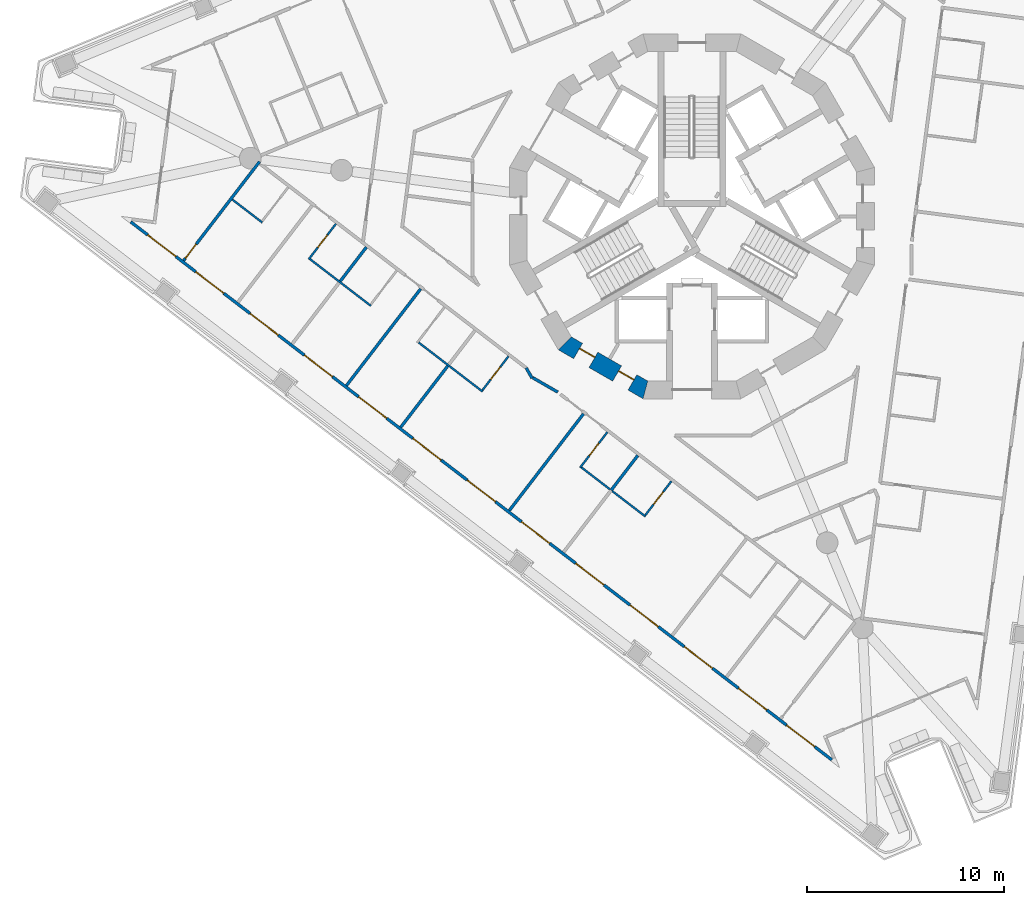
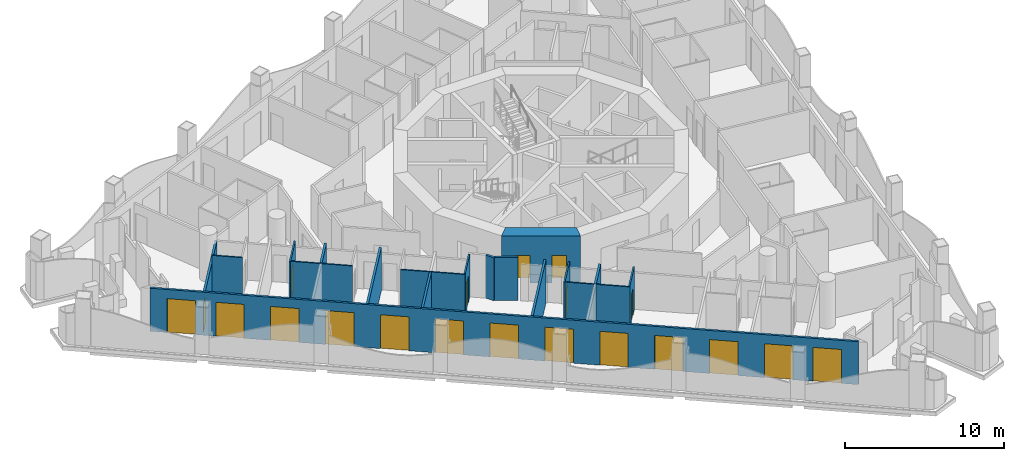
# One storey, part 2 of 17: 20 doors, 19 walls, 20 openings.
"""IFC4 building model written with IfcOpenShell, lengths in metres."""

import ifcopenshell
import ifcopenshell.guid

model = None  # the IFC model being written
_history = None  # IfcOwnerHistory: only IFC2X3 demands one
_inside = {}  # id of a spatial element -> (the spatial element, [elements in it])
_under = {}  # id of a project, library or spatial element -> (it, [spatial elements below it])
_declared = {}  # id of a project -> (the project, [libraries it declares])
_typed = {}  # id of a type object -> (the type object, [elements of that type])
_made_of = {}  # id of a material, layer set ... -> (it, [elements and type objects made of it])


def new_model(schema):
    """Start an empty IFC model of exactly this schema.

    Asked for "IFC4X3", IfcOpenShell would pick the latest addendum, in which some entities
    have other attributes; the version numbers below select the first issue.
    IFC2X3 requires an IfcOwnerHistory on every rooted entity: one is made here for all.
    """
    global model, _history
    if schema == "IFC4X3":
        model = ifcopenshell.file(schema_version=(4, 3, 0, 0))
    else:
        model = ifcopenshell.file(schema=schema)
    _inside.clear()
    _under.clear()
    _declared.clear()
    _typed.clear()
    _made_of.clear()
    _history = None
    if model.schema == "IFC2X3":
        org = make("IfcOrganization", Name="unknown")
        user = make(
            "IfcPersonAndOrganization",
            ThePerson=make("IfcPerson", FamilyName="unknown"),
            TheOrganization=org,
        )
        app = make(
            "IfcApplication",
            ApplicationDeveloper=org,
            Version="unknown",
            ApplicationFullName="unknown",
            ApplicationIdentifier="unknown",
        )
        _history = make(
            "IfcOwnerHistory",
            OwningUser=user,
            OwningApplication=app,
            ChangeAction="ADDED",
            CreationDate=0,
        )
    return model


def make(cls, **values):
    """One entity of the class cls with the attributes given. An attribute that is None is left unset."""
    return model.create_entity(
        cls, **{name: value for name, value in values.items() if value is not None}
    )


def rooted(cls, **values):
    """An entity with a GlobalId (a new one), such as an element, a storey or a relation."""
    return make(cls, GlobalId=ifcopenshell.guid.new(), OwnerHistory=_history, **values)


def si_unit(unit_type, name, prefix=None):
    """IfcSIUnit, for example si_unit("LENGTHUNIT", "METRE", prefix="MILLI")."""
    return make("IfcSIUnit", UnitType=unit_type, Prefix=prefix, Name=name)


def assignment(units):
    """IfcUnitAssignment: the units of a project."""
    return None if units is None else make("IfcUnitAssignment", Units=units)


def point(xyz):
    """IfcCartesianPoint."""
    return None if xyz is None else make("IfcCartesianPoint", Coordinates=xyz)


def direction(xyz):
    """IfcDirection."""
    return None if xyz is None else make("IfcDirection", DirectionRatios=xyz)


def frame(location, z_axis=None, x_axis=None):
    """IfcAxis2Placement3D, a coordinate frame: its origin and axes. An axis left out is left unset."""
    return make(
        "IfcAxis2Placement3D",
        Location=point(location),
        Axis=direction(z_axis),
        RefDirection=direction(x_axis),
    )


def frame_2d(location, x_axis=None):
    """IfcAxis2Placement2D, a coordinate frame in the plane: its origin and x axis."""
    return make(
        "IfcAxis2Placement2D", Location=point(location), RefDirection=direction(x_axis)
    )


def origin():
    """The frame at (0, 0, 0) with its axes left unset."""
    return frame((0.0, 0.0, 0.0))


def place(relative_to, where):
    """IfcLocalPlacement: puts the frame where relative to a parent placement (None: the world)."""
    return make(
        "IfcLocalPlacement", PlacementRelTo=relative_to, RelativePlacement=where
    )


def context(
    kind, dimensions, precision=None, world=None, true_north=None, identifier=None
):
    """IfcGeometricRepresentationContext, for example the 3D "Model" context."""
    return make(
        "IfcGeometricRepresentationContext",
        ContextIdentifier=identifier,
        ContextType=kind,
        CoordinateSpaceDimension=dimensions,
        Precision=precision,
        WorldCoordinateSystem=world,
        TrueNorth=true_north,
    )


def subcontext(parent, identifier, kind, view, scale=None):
    """IfcGeometricRepresentationSubContext, for example "Body" below "Model"."""
    return make(
        "IfcGeometricRepresentationSubContext",
        ContextIdentifier=identifier,
        ContextType=kind,
        ParentContext=parent,
        TargetScale=scale,
        TargetView=view,
    )


def project(units=None, contexts=None):
    """IfcProject with its units and contexts."""
    return rooted(
        "IfcProject",
        Name="project",
        RepresentationContexts=contexts,
        UnitsInContext=assignment(units),
    )


def spatial(cls, under=None, at=None, **own):
    """A site, building, storey or space (cls), placed at a placement, below another one or the project."""
    s = rooted(cls, ObjectPlacement=at, **own)
    if under is not None:
        _under.setdefault(under.id(), (under, []))[1].append(s)
    return s


def polyline(points):
    """IfcPolyline through the points."""
    return make("IfcPolyline", Points=[point(p) for p in points])


def profile(cls, at=None, kind="AREA", **sizes):
    """A parametric profile (cls). Its sizes go by their IFC names, for example OverallWidth=200.0."""
    return make(cls, ProfileType=kind, Position=at, **sizes)


def rectangle(**sizes):
    """IfcRectangleProfileDef."""
    return profile("IfcRectangleProfileDef", **sizes)


def outline(outer, holes=None, kind="AREA"):
    """IfcArbitraryClosedProfileDef: a profile drawn as a closed curve; with holes, ...WithVoids."""
    if holes is None:
        return make("IfcArbitraryClosedProfileDef", ProfileType=kind, OuterCurve=outer)
    return make(
        "IfcArbitraryProfileDefWithVoids",
        ProfileType=kind,
        OuterCurve=outer,
        InnerCurves=holes,
    )


def extrude(swept, where, along, depth):
    """IfcExtrudedAreaSolid: the profile swept, set in the frame where, extruded along a direction by depth."""
    return make(
        "IfcExtrudedAreaSolid",
        SweptArea=swept,
        Position=where,
        ExtrudedDirection=direction(along),
        Depth=depth,
    )


def shape(context_of_items, identifier, shape_type, items):
    """IfcShapeRepresentation: the items that make up one representation, for example the "Body"."""
    return make(
        "IfcShapeRepresentation",
        ContextOfItems=context_of_items,
        RepresentationIdentifier=identifier,
        RepresentationType=shape_type,
        Items=items,
    )


def material(Name=None, Category=None):
    """IfcMaterial."""
    return make("IfcMaterial", Name=Name, Category=Category)


def layer(
    of_material, thickness, ventilated=None, Name=None, Category=None, Priority=None
):
    """IfcMaterialLayer: one layer of a wall or slab, of a material (None: an air gap)."""
    return make(
        "IfcMaterialLayer",
        Material=of_material,
        LayerThickness=thickness,
        IsVentilated=ventilated,
        Name=Name,
        Category=Category,
        Priority=Priority,
    )


def layer_set(layers, Name=None):
    """IfcMaterialLayerSet."""
    return make("IfcMaterialLayerSet", MaterialLayers=layers, LayerSetName=Name)


def made_of(thing, what):
    """Note that an element or type object is made of a material, layer set ...; save() writes the relation."""
    if what is not None:
        _made_of.setdefault(what.id(), (what, []))[1].append(thing)
    return thing


def type_object(cls, material=None, **own):
    """A type object (cls), such as IfcWallType, which elements share."""
    return made_of(rooted(cls, **own), material)


def element(
    cls,
    number,
    at=None,
    inside=None,
    cuts=None,
    type_object=None,
    material=None,
    context=None,
    identifier="Body",
    shape_type=None,
    held_by="IfcProductDefinitionShape",
    body=None,
    shapes=None,
    **own,
):
    """One element of the class cls, such as IfcWall. Its Tag is "e" and its number.

    at: its placement. inside: the storey or other place that contains it. cuts: it is an
    opening in that element (IfcRelVoidsElement). A single representation is given by context,
    identifier, shape_type and body (its items); several are given by shapes. held_by: the class
    of the entity that holds the representations. save() writes the other relations.
    """
    e = rooted(cls, Tag="e%d" % number, ObjectPlacement=at, **own)
    if body is not None:
        shapes = [shape(context, identifier, shape_type, body)]
    if shapes is not None:
        e.Representation = make(held_by, Representations=shapes)
    if inside is not None:
        _inside.setdefault(inside.id(), (inside, []))[1].append(e)
    if cuts is not None:
        rooted(
            "IfcRelVoidsElement", RelatingBuildingElement=cuts, RelatedOpeningElement=e
        )
    if type_object is not None:
        _typed.setdefault(type_object.id(), (type_object, []))[1].append(e)
    return made_of(e, material)


def fill(opening, filler):
    """IfcRelFillsElement: the door or window that sits in an opening."""
    return rooted(
        "IfcRelFillsElement",
        RelatingOpeningElement=opening,
        RelatedBuildingElement=filler,
    )


def aggregate(whole, parts):
    """IfcRelAggregates: a whole, such as a stair, and the parts it consists of."""
    return rooted("IfcRelAggregates", RelatingObject=whole, RelatedObjects=parts)


def save(model, path):
    """Write the relations noted so far, then the file.

    IfcRelAggregates (storeys below a building ...), IfcRelContainedInSpatialStructure (elements
    in a storey), IfcRelDefinesByType, IfcRelAssociatesMaterial and IfcRelDeclares: one each for
    every whole, place, type object, material and project.
    """
    for whole, parts in _under.values():
        aggregate(whole, parts)
    for where, things in _inside.values():
        rooted(
            "IfcRelContainedInSpatialStructure",
            RelatedElements=things,
            RelatingStructure=where,
        )
    for kind, things in _typed.values():
        rooted("IfcRelDefinesByType", RelatedObjects=things, RelatingType=kind)
    for what, things in _made_of.values():
        rooted("IfcRelAssociatesMaterial", RelatedObjects=things, RelatingMaterial=what)
    for by, libraries in _declared.values():
        rooted("IfcRelDeclares", RelatingContext=by, RelatedDefinitions=libraries)
    model.write(path)


model = new_model("IFC4")

# Units and contexts
model_context = context("Model", 3, precision=1e-05, world=origin(), true_north=direction((0.0, 1.0)))
body_context = subcontext(model_context, "Body", "Model", "MODEL_VIEW")
ifc_project = project(units=[si_unit("LENGTHUNIT", "METRE"), si_unit("AREAUNIT", "SQUARE_METRE"), si_unit("VOLUMEUNIT", "CUBIC_METRE"), si_unit("PLANEANGLEUNIT", "RADIAN"), si_unit("MASSUNIT", "GRAM", prefix="KILO")], contexts=[model_context])

# Site, building, storey
site_placement = place(None, origin())
site = spatial("IfcSite", under=ifc_project, at=site_placement, CompositionType="ELEMENT")
building_placement = place(site_placement, origin())
building = spatial("IfcBuilding", under=site, at=building_placement, Name="Trine Commons Tower", CompositionType="ELEMENT")
storey_placement = place(building_placement, frame((0.0, 0.0, 138.60009765625)))
storey = spatial("IfcBuildingStorey", under=building, at=storey_placement, Name="L35", CompositionType="ELEMENT", Elevation=138.60009765625)

# Wall, openings, doors
ifc_material_1 = material(Name="Aluminium-framed insulated wall panel", Category="aluminium")
ifc_layer_1 = layer(ifc_material_1, 0.14990234375)
ifc_layer_set_1 = layer_set([ifc_layer_1], Name="Aluminium-framed insulated wall panel")
wall_type_1 = type_object("IfcWallType", Name="Glazed frame wall 150, EI 60", PredefinedType="SOLIDWALL", material=ifc_layer_set_1)
wall_1_placement = place(storey_placement, frame((87.22509765625, 34.786376953125, 0.0), z_axis=(0.0, 0.0, 1.0), x_axis=(-0.793353605974, 0.608761082764, 0.0)))
wall_1 = element("IfcWall", 1, at=wall_1_placement, inside=storey, type_object=wall_type_1, Name="Glazed frame wall F3", PredefinedType="SOLIDWALL", context=body_context, shape_type="SweptSolid", body=[
    extrude(outline(polyline([(0.1494140625, 0.074951171875), (0.1494140625, -0.074951171875), (45.056884765625, -0.074951171875), (45.056884765625, 0.074951171875), (0.1494140625, 0.074951171875)])), origin(), (0.0, 0.0, 1.0), 3.2998046875),
])
opening_1_placement = place(wall_1_placement, frame((1.23876953125, 0.0, 0.0)))
opening_1 = element("IfcOpeningElement", 2, at=opening_1_placement, cuts=wall_1, Name="Opening BD-4F3-01", PredefinedType="OPENING", context=body_context, shape_type="SweptSolid", body=[
    extrude(rectangle(XDim=1.800048828125, YDim=2.60009765625, at=frame_2d((0.89990234375, 1.300048828125))), frame((0.0, 0.0849609375, 0.0), z_axis=(0.0, -1.0, 0.0), x_axis=(1.0, 0.0, 0.0)), (0.0, 0.0, 1.0), 0.169921875),
])
opening_2_placement = place(wall_1_placement, frame((4.316162109375, 0.0, 0.0)))
opening_2 = element("IfcOpeningElement", 3, at=opening_2_placement, cuts=wall_1, Name="Opening BD-4F3-02", PredefinedType="OPENING", context=body_context, shape_type="SweptSolid", body=[
    extrude(rectangle(XDim=1.800048828125, YDim=2.60009765625, at=frame_2d((0.89990234375, 1.300048828125))), frame((0.0, 0.0849609375, 0.0), z_axis=(0.0, -1.0, 0.0), x_axis=(1.0, 0.0, 0.0)), (0.0, 0.0, 1.0), 0.169921875),
])
opening_3_placement = place(wall_1_placement, frame((7.79345703125, 0.0, 0.0)))
opening_3 = element("IfcOpeningElement", 4, at=opening_3_placement, cuts=wall_1, Name="Opening BD-4F3-03", PredefinedType="OPENING", context=body_context, shape_type="SweptSolid", body=[
    extrude(rectangle(XDim=1.800048828125, YDim=2.60009765625, at=frame_2d((0.89990234375, 1.300048828125))), frame((0.0, 0.0849609375, 0.0), z_axis=(0.0, -1.0, 0.0), x_axis=(1.0, 0.0, 0.0)), (0.0, 0.0, 1.0), 0.169921875),
])
opening_4_placement = place(wall_1_placement, frame((11.27099609375, 0.0, 0.0)))
opening_4 = element("IfcOpeningElement", 5, at=opening_4_placement, cuts=wall_1, Name="Opening BD-4F3-04", PredefinedType="OPENING", context=body_context, shape_type="SweptSolid", body=[
    extrude(rectangle(XDim=1.800048828125, YDim=2.60009765625, at=frame_2d((0.89990234375, 1.300048828125))), frame((0.0, 0.0849609375, 0.0), z_axis=(0.0, -1.0, 0.0), x_axis=(1.0, 0.0, 0.0)), (0.0, 0.0, 1.0), 0.169921875),
])
opening_5_placement = place(wall_1_placement, frame((14.748291015625, 0.0, 0.0)))
opening_5 = element("IfcOpeningElement", 6, at=opening_5_placement, cuts=wall_1, Name="Opening BD-4F3-05", PredefinedType="OPENING", context=body_context, shape_type="SweptSolid", body=[
    extrude(rectangle(XDim=1.800048828125, YDim=2.60009765625, at=frame_2d((0.89990234375, 1.300048828125))), frame((0.0, 0.0849609375, 0.0), z_axis=(0.0, -1.0, 0.0), x_axis=(1.0, 0.0, 0.0)), (0.0, 0.0, 1.0), 0.169921875),
])
opening_6_placement = place(wall_1_placement, frame((18.2255859375, 0.0, 0.0)))
opening_6 = element("IfcOpeningElement", 7, at=opening_6_placement, cuts=wall_1, Name="Opening BD-4F3-06", PredefinedType="OPENING", context=body_context, shape_type="SweptSolid", body=[
    extrude(rectangle(XDim=1.800048828125, YDim=2.60009765625, at=frame_2d((0.89990234375, 1.300048828125))), frame((0.0, 0.0849609375, 0.0), z_axis=(0.0, -1.0, 0.0), x_axis=(1.0, 0.0, 0.0)), (0.0, 0.0, 1.0), 0.169921875),
])
opening_7_placement = place(wall_1_placement, frame((21.703125, 0.0, 0.0)))
opening_7 = element("IfcOpeningElement", 8, at=opening_7_placement, cuts=wall_1, Name="Opening BD-4F3-07", PredefinedType="OPENING", context=body_context, shape_type="SweptSolid", body=[
    extrude(rectangle(XDim=1.800048828125, YDim=2.60009765625, at=frame_2d((0.89990234375, 1.300048828125))), frame((0.0, 0.0849609375, 0.0), z_axis=(0.0, -1.0, 0.0), x_axis=(1.0, 0.0, 0.0)), (0.0, 0.0, 1.0), 0.169921875),
])
opening_8_placement = place(wall_1_placement, frame((25.180419921875, 0.0, 0.0)))
opening_8 = element("IfcOpeningElement", 9, at=opening_8_placement, cuts=wall_1, Name="Opening BD-4F3-08", PredefinedType="OPENING", context=body_context, shape_type="SweptSolid", body=[
    extrude(rectangle(XDim=1.800048828125, YDim=2.60009765625, at=frame_2d((0.89990234375, 1.300048828125))), frame((0.0, 0.0849609375, 0.0), z_axis=(0.0, -1.0, 0.0), x_axis=(1.0, 0.0, 0.0)), (0.0, 0.0, 1.0), 0.169921875),
])
opening_9_placement = place(wall_1_placement, frame((28.657958984375, 0.0, 0.0)))
opening_9 = element("IfcOpeningElement", 10, at=opening_9_placement, cuts=wall_1, Name="Opening BD-4F3-09", PredefinedType="OPENING", context=body_context, shape_type="SweptSolid", body=[
    extrude(rectangle(XDim=1.800048828125, YDim=2.60009765625, at=frame_2d((0.89990234375, 1.300048828125))), frame((0.0, 0.0849609375, 0.0), z_axis=(0.0, -1.0, 0.0), x_axis=(1.0, 0.0, 0.0)), (0.0, 0.0, 1.0), 0.169921875),
])
opening_10_placement = place(wall_1_placement, frame((32.13525390625, 0.0, 0.0)))
opening_10 = element("IfcOpeningElement", 11, at=opening_10_placement, cuts=wall_1, Name="Opening BD-4F3-10", PredefinedType="OPENING", context=body_context, shape_type="SweptSolid", body=[
    extrude(rectangle(XDim=1.800048828125, YDim=2.60009765625, at=frame_2d((0.89990234375, 1.300048828125))), frame((0.0, 0.0849609375, 0.0), z_axis=(0.0, -1.0, 0.0), x_axis=(1.0, 0.0, 0.0)), (0.0, 0.0, 1.0), 0.169921875),
])
opening_11_placement = place(wall_1_placement, frame((35.61279296875, 0.0, 0.0)))
opening_11 = element("IfcOpeningElement", 12, at=opening_11_placement, cuts=wall_1, Name="Opening BD-4F3-11", PredefinedType="OPENING", context=body_context, shape_type="SweptSolid", body=[
    extrude(rectangle(XDim=1.800048828125, YDim=2.60009765625, at=frame_2d((0.89990234375, 1.300048828125))), frame((0.0, 0.0849609375, 0.0), z_axis=(0.0, -1.0, 0.0), x_axis=(1.0, 0.0, 0.0)), (0.0, 0.0, 1.0), 0.169921875),
])
opening_12_placement = place(wall_1_placement, frame((39.090087890625, 0.0, 0.0)))
opening_12 = element("IfcOpeningElement", 13, at=opening_12_placement, cuts=wall_1, Name="Opening BD-4F3-12", PredefinedType="OPENING", context=body_context, shape_type="SweptSolid", body=[
    extrude(rectangle(XDim=1.800048828125, YDim=2.60009765625, at=frame_2d((0.89990234375, 1.300048828125))), frame((0.0, 0.0849609375, 0.0), z_axis=(0.0, -1.0, 0.0), x_axis=(1.0, 0.0, 0.0)), (0.0, 0.0, 1.0), 0.169921875),
])
opening_13_placement = place(wall_1_placement, frame((42.16748046875, 0.0, 0.0)))
opening_13 = element("IfcOpeningElement", 14, at=opening_13_placement, cuts=wall_1, Name="Opening BD-4F3-13", PredefinedType="OPENING", context=body_context, shape_type="SweptSolid", body=[
    extrude(rectangle(XDim=1.800048828125, YDim=2.60009765625, at=frame_2d((0.89990234375, 1.300048828125))), frame((0.0, 0.0849609375, 0.0), z_axis=(0.0, -1.0, 0.0), x_axis=(1.0, 0.0, 0.0)), (0.0, 0.0, 1.0), 0.169921875),
])
ifc_material_2 = material(Name="Anodised aluminium frame with double glazing", Category="aluminium")
door_type_1 = type_object("IfcDoorType", Name="Sliding loggia door 1800x2600", OperationType="SLIDING_TO_LEFT", PredefinedType="DOOR", material=ifc_material_2)
door_1_placement = place(opening_1_placement, origin())
door_1 = element("IfcDoor", 15, at=door_1_placement, inside=storey, type_object=door_type_1, Name="Loggia door F3 1", OperationType="SLIDING_TO_LEFT", OverallHeight=2.60009765625, OverallWidth=1.800048828125, PredefinedType="DOOR", context=body_context, shape_type="SweptSolid", body=[
    extrude(rectangle(XDim=1.800048828125, YDim=2.60009765625, at=frame_2d((0.89990234375, 1.300048828125))), frame((0.0, 0.02490234375, 0.0), z_axis=(0.0, -1.0, 0.0), x_axis=(1.0, 0.0, 0.0)), (0.0, 0.0, 1.0), 0.050048828125),
])
fill(opening_1, door_1)
door_2_placement = place(opening_2_placement, origin())
door_2 = element("IfcDoor", 16, at=door_2_placement, inside=storey, type_object=door_type_1, Name="Loggia door F3 2", OperationType="SLIDING_TO_LEFT", OverallHeight=2.60009765625, OverallWidth=1.800048828125, PredefinedType="DOOR", context=body_context, shape_type="SweptSolid", body=[
    extrude(rectangle(XDim=1.800048828125, YDim=2.60009765625, at=frame_2d((0.89990234375, 1.300048828125))), frame((0.0, 0.02490234375, 0.0), z_axis=(0.0, -1.0, 0.0), x_axis=(1.0, 0.0, 0.0)), (0.0, 0.0, 1.0), 0.050048828125),
])
fill(opening_2, door_2)
door_3_placement = place(opening_3_placement, origin())
door_3 = element("IfcDoor", 17, at=door_3_placement, inside=storey, type_object=door_type_1, Name="Loggia door F3 3", OperationType="SLIDING_TO_LEFT", OverallHeight=2.60009765625, OverallWidth=1.800048828125, PredefinedType="DOOR", context=body_context, shape_type="SweptSolid", body=[
    extrude(rectangle(XDim=1.800048828125, YDim=2.60009765625, at=frame_2d((0.89990234375, 1.300048828125))), frame((0.0, 0.02490234375, 0.0), z_axis=(0.0, -1.0, 0.0), x_axis=(1.0, 0.0, 0.0)), (0.0, 0.0, 1.0), 0.050048828125),
])
fill(opening_3, door_3)
door_4_placement = place(opening_4_placement, origin())
door_4 = element("IfcDoor", 18, at=door_4_placement, inside=storey, type_object=door_type_1, Name="Loggia door F3 4", OperationType="SLIDING_TO_LEFT", OverallHeight=2.60009765625, OverallWidth=1.800048828125, PredefinedType="DOOR", context=body_context, shape_type="SweptSolid", body=[
    extrude(rectangle(XDim=1.800048828125, YDim=2.60009765625, at=frame_2d((0.89990234375, 1.300048828125))), frame((0.0, 0.02490234375, 0.0), z_axis=(0.0, -1.0, 0.0), x_axis=(1.0, 0.0, 0.0)), (0.0, 0.0, 1.0), 0.050048828125),
])
fill(opening_4, door_4)
door_5_placement = place(opening_5_placement, origin())
door_5 = element("IfcDoor", 19, at=door_5_placement, inside=storey, type_object=door_type_1, Name="Loggia door F3 5", OperationType="SLIDING_TO_LEFT", OverallHeight=2.60009765625, OverallWidth=1.800048828125, PredefinedType="DOOR", context=body_context, shape_type="SweptSolid", body=[
    extrude(rectangle(XDim=1.800048828125, YDim=2.60009765625, at=frame_2d((0.89990234375, 1.300048828125))), frame((0.0, 0.02490234375, 0.0), z_axis=(0.0, -1.0, 0.0), x_axis=(1.0, 0.0, 0.0)), (0.0, 0.0, 1.0), 0.050048828125),
])
fill(opening_5, door_5)
door_6_placement = place(opening_6_placement, origin())
door_6 = element("IfcDoor", 20, at=door_6_placement, inside=storey, type_object=door_type_1, Name="Loggia door F3 6", OperationType="SLIDING_TO_LEFT", OverallHeight=2.60009765625, OverallWidth=1.800048828125, PredefinedType="DOOR", context=body_context, shape_type="SweptSolid", body=[
    extrude(rectangle(XDim=1.800048828125, YDim=2.60009765625, at=frame_2d((0.89990234375, 1.300048828125))), frame((0.0, 0.02490234375, 0.0), z_axis=(0.0, -1.0, 0.0), x_axis=(1.0, 0.0, 0.0)), (0.0, 0.0, 1.0), 0.050048828125),
])
fill(opening_6, door_6)
door_7_placement = place(opening_7_placement, origin())
door_7 = element("IfcDoor", 21, at=door_7_placement, inside=storey, type_object=door_type_1, Name="Loggia door F3 7", OperationType="SLIDING_TO_LEFT", OverallHeight=2.60009765625, OverallWidth=1.800048828125, PredefinedType="DOOR", context=body_context, shape_type="SweptSolid", body=[
    extrude(rectangle(XDim=1.800048828125, YDim=2.60009765625, at=frame_2d((0.89990234375, 1.300048828125))), frame((0.0, 0.02490234375, 0.0), z_axis=(0.0, -1.0, 0.0), x_axis=(1.0, 0.0, 0.0)), (0.0, 0.0, 1.0), 0.050048828125),
])
fill(opening_7, door_7)
door_8_placement = place(opening_8_placement, origin())
door_8 = element("IfcDoor", 22, at=door_8_placement, inside=storey, type_object=door_type_1, Name="Loggia door F3 8", OperationType="SLIDING_TO_LEFT", OverallHeight=2.60009765625, OverallWidth=1.800048828125, PredefinedType="DOOR", context=body_context, shape_type="SweptSolid", body=[
    extrude(rectangle(XDim=1.800048828125, YDim=2.60009765625, at=frame_2d((0.89990234375, 1.300048828125))), frame((0.0, 0.02490234375, 0.0), z_axis=(0.0, -1.0, 0.0), x_axis=(1.0, 0.0, 0.0)), (0.0, 0.0, 1.0), 0.050048828125),
])
fill(opening_8, door_8)
door_9_placement = place(opening_9_placement, origin())
door_9 = element("IfcDoor", 23, at=door_9_placement, inside=storey, type_object=door_type_1, Name="Loggia door F3 9", OperationType="SLIDING_TO_LEFT", OverallHeight=2.60009765625, OverallWidth=1.800048828125, PredefinedType="DOOR", context=body_context, shape_type="SweptSolid", body=[
    extrude(rectangle(XDim=1.800048828125, YDim=2.60009765625, at=frame_2d((0.89990234375, 1.300048828125))), frame((0.0, 0.02490234375, 0.0), z_axis=(0.0, -1.0, 0.0), x_axis=(1.0, 0.0, 0.0)), (0.0, 0.0, 1.0), 0.050048828125),
])
fill(opening_9, door_9)
door_10_placement = place(opening_10_placement, origin())
door_10 = element("IfcDoor", 24, at=door_10_placement, inside=storey, type_object=door_type_1, Name="Loggia door F3 10", OperationType="SLIDING_TO_LEFT", OverallHeight=2.60009765625, OverallWidth=1.800048828125, PredefinedType="DOOR", context=body_context, shape_type="SweptSolid", body=[
    extrude(rectangle(XDim=1.800048828125, YDim=2.60009765625, at=frame_2d((0.89990234375, 1.300048828125))), frame((0.0, 0.02490234375, 0.0), z_axis=(0.0, -1.0, 0.0), x_axis=(1.0, 0.0, 0.0)), (0.0, 0.0, 1.0), 0.050048828125),
])
fill(opening_10, door_10)
door_11_placement = place(opening_11_placement, origin())
door_11 = element("IfcDoor", 25, at=door_11_placement, inside=storey, type_object=door_type_1, Name="Loggia door F3 11", OperationType="SLIDING_TO_LEFT", OverallHeight=2.60009765625, OverallWidth=1.800048828125, PredefinedType="DOOR", context=body_context, shape_type="SweptSolid", body=[
    extrude(rectangle(XDim=1.800048828125, YDim=2.60009765625, at=frame_2d((0.89990234375, 1.300048828125))), frame((0.0, 0.02490234375, 0.0), z_axis=(0.0, -1.0, 0.0), x_axis=(1.0, 0.0, 0.0)), (0.0, 0.0, 1.0), 0.050048828125),
])
fill(opening_11, door_11)
door_12_placement = place(opening_12_placement, origin())
door_12 = element("IfcDoor", 26, at=door_12_placement, inside=storey, type_object=door_type_1, Name="Loggia door F3 12", OperationType="SLIDING_TO_LEFT", OverallHeight=2.60009765625, OverallWidth=1.800048828125, PredefinedType="DOOR", context=body_context, shape_type="SweptSolid", body=[
    extrude(rectangle(XDim=1.800048828125, YDim=2.60009765625, at=frame_2d((0.89990234375, 1.300048828125))), frame((0.0, 0.02490234375, 0.0), z_axis=(0.0, -1.0, 0.0), x_axis=(1.0, 0.0, 0.0)), (0.0, 0.0, 1.0), 0.050048828125),
])
fill(opening_12, door_12)
door_13_placement = place(opening_13_placement, origin())
door_13 = element("IfcDoor", 27, at=door_13_placement, inside=storey, type_object=door_type_1, Name="Loggia door F3 13", OperationType="SLIDING_TO_LEFT", OverallHeight=2.60009765625, OverallWidth=1.800048828125, PredefinedType="DOOR", context=body_context, shape_type="SweptSolid", body=[
    extrude(rectangle(XDim=1.800048828125, YDim=2.60009765625, at=frame_2d((0.89990234375, 1.300048828125))), frame((0.0, 0.02490234375, 0.0), z_axis=(0.0, -1.0, 0.0), x_axis=(1.0, 0.0, 0.0)), (0.0, 0.0, 1.0), 0.050048828125),
])
fill(opening_13, door_13)

ifc_material_3 = material(Name="Concrete C70/85", Category="concrete")
ifc_layer_2 = layer(ifc_material_3, 0.89990234375)
ifc_layer_set_2 = layer_set([ifc_layer_2], Name="Concrete C70/85")
wall_type_2 = type_object("IfcWallType", Name="RC shear wall 900 mm, C70/85", PredefinedType="SHEAR", material=ifc_layer_set_2)
wall_2_placement = place(storey_placement, frame((73.436767578125, 56.1015625, 0.0), z_axis=(0.0, 0.0, 1.0), x_axis=(0.866003133579, -0.500038571144, 0.0)))
wall_2 = element("IfcWall", 28, at=wall_2_placement, inside=storey, type_object=wall_type_2, Name="Core wall CWD-09 L35", PredefinedType="SHEAR", context=body_context, shape_type="SweptSolid", body=[
    extrude(outline(polyline([(0.0, -0.449951171875), (4.96923828125, -0.449951171875), (4.72802734375, 0.449951171875), (0.2412109375, 0.449951171875), (0.0, -0.449951171875)])), origin(), (0.0, 0.0, 1.0), 3.599853515625),
])
opening_14_placement = place(wall_2_placement, frame((0.89599609375, 0.0, 0.0)))
opening_14 = element("IfcOpeningElement", 29, at=opening_14_placement, cuts=wall_2, Name="Opening K10.16", PredefinedType="OPENING", context=body_context, shape_type="SweptSolid", body=[
    extrude(rectangle(XDim=0.89990234375, YDim=2.10009765625, at=frame_2d((0.449951171875, 1.050048828125))), frame((0.0, 0.4599609375, 0.0), z_axis=(0.0, -1.0, 0.0), x_axis=(1.0, 0.0, 0.0)), (0.0, 0.0, 1.0), 0.919921875),
])
opening_15_placement = place(wall_2_placement, frame((3.18505859375, 0.0, 0.0)))
opening_15 = element("IfcOpeningElement", 30, at=opening_15_placement, cuts=wall_2, Name="Opening K10.17", PredefinedType="OPENING", context=body_context, shape_type="SweptSolid", body=[
    extrude(rectangle(XDim=0.89990234375, YDim=2.10009765625, at=frame_2d((0.449951171875, 1.050048828125))), frame((0.0, 0.4599609375, 0.0), z_axis=(0.0, -1.0, 0.0), x_axis=(1.0, 0.0, 0.0)), (0.0, 0.0, 1.0), 0.919921875),
])
ifc_material_4 = material(Name="Steel door leaf, fire-rated", Category="steel")
door_type_2 = type_object("IfcDoorType", Name="Core room door, single leaf 900 x 2100, FD30S", OperationType="SINGLE_SWING_LEFT", PredefinedType="DOOR", material=ifc_material_4)
door_14_placement = place(opening_14_placement, origin())
door_14 = element("IfcDoor", 31, at=door_14_placement, inside=storey, type_object=door_type_2, Name="Door to Linen store L35", OperationType="SINGLE_SWING_LEFT", OverallHeight=2.10009765625, OverallWidth=0.89990234375, PredefinedType="DOOR", context=body_context, shape_type="SweptSolid", body=[
    extrude(rectangle(XDim=0.89990234375, YDim=2.10009765625, at=frame_2d((0.449951171875, 1.050048828125))), frame((0.0, 0.1748046875, 0.0), z_axis=(0.0, -1.0, 0.0), x_axis=(1.0, 0.0, 0.0)), (0.0, 0.0, 1.0), 0.050048828125),
])
fill(opening_14, door_14)
door_15_placement = place(opening_15_placement, origin())
door_15 = element("IfcDoor", 32, at=door_15_placement, inside=storey, type_object=door_type_2, Name="Door to Pantry L35", OperationType="SINGLE_SWING_RIGHT", OverallHeight=2.10009765625, OverallWidth=0.89990234375, PredefinedType="DOOR", context=body_context, shape_type="SweptSolid", body=[
    extrude(rectangle(XDim=0.89990234375, YDim=2.10009765625, at=frame_2d((0.449951171875, 1.050048828125))), frame((0.0, 0.1748046875, 0.0), z_axis=(0.0, -1.0, 0.0), x_axis=(1.0, 0.0, 0.0)), (0.0, 0.0, 1.0), 0.050048828125),
])
fill(opening_15, door_15)

# Wall, opening, door
ifc_material_5 = material(Name="Gypsum plasterboard on steel stud", Category="steel")
ifc_layer_3 = layer(ifc_material_5, 0.14990234375)
ifc_layer_set_3 = layer_set([ifc_layer_3], Name="Gypsum plasterboard on steel stud")
wall_type_3 = type_object("IfcWallType", Name="Unit and corridor wall 150 mm, EI 60", PredefinedType="PARTITIONING", material=ifc_layer_set_3)
wall_3_placement = place(storey_placement, frame((54.165283203125, 60.248779296875, 0.0), z_axis=(0.0, 0.0, 1.0), x_axis=(0.608817658648, 0.793310190605, 0.0)))
wall_3 = element("IfcWall", 33, at=wall_3_placement, inside=storey, type_object=wall_type_3, Name="Partition 001", PredefinedType="PARTITIONING", context=body_context, shape_type="SweptSolid", body=[
    extrude(rectangle(XDim=6.343994140625, YDim=0.14990234375, at=frame_2d((3.171875, 0.0))), origin(), (0.0, 0.0, 1.0), 2.7998046875),
])
opening_16_placement = place(wall_3_placement, frame((0.14990234375, 0.0, 0.0)))
opening_16 = element("IfcOpeningElement", 34, at=opening_16_placement, cuts=wall_3, Name="Opening D-4B28", PredefinedType="OPENING", context=body_context, shape_type="SweptSolid", body=[
    extrude(rectangle(XDim=0.89990234375, YDim=2.10009765625, at=frame_2d((0.449951171875, 1.050048828125))), frame((0.0, 0.0849609375, 0.0), z_axis=(0.0, -1.0, 0.0), x_axis=(1.0, 0.0, 0.0)), (0.0, 0.0, 1.0), 0.169921875),
])
ifc_material_6 = material(Name="Timber fire door set", Category="wood")
door_type_3 = type_object("IfcDoorType", Name="Bedroom door 900 x 2100, FD30S", OperationType="NOTDEFINED", PredefinedType="DOOR", material=ifc_material_6)
door_16_placement = place(opening_16_placement, frame((0.89990234375, 0.0, 0.0), z_axis=(0.0, 0.0, 1.0), x_axis=(-1.0, 0.0, 0.0)))
door_16 = element("IfcDoor", 35, at=door_16_placement, inside=storey, type_object=door_type_3, Name="Door D-4B28", OperationType="SINGLE_SWING_RIGHT", OverallHeight=2.10009765625, OverallWidth=0.89990234375, PredefinedType="DOOR", context=body_context, shape_type="SweptSolid", body=[
    extrude(rectangle(XDim=0.89990234375, YDim=2.10009765625, at=frame_2d((0.449951171875, 1.050048828125))), frame((0.0, 0.02490234375, 0.0), z_axis=(0.0, -1.0, 0.0), x_axis=(1.0, 0.0, 0.0)), (0.0, 0.0, 1.0), 0.050048828125),
])
fill(opening_16, door_16)

# Walls
wall_4_placement = place(storey_placement, frame((62.12939453125, 59.20361328125, 0.0), z_axis=(0.0, 0.0, 1.0), x_axis=(0.608674216197, 0.79342025342, 0.0)))
element("IfcWall", 36, at=wall_4_placement, inside=storey, type_object=wall_type_3, Name="Partition 018", PredefinedType="PARTITIONING", context=body_context, shape_type="SweptSolid", body=[
    extrude(rectangle(XDim=2.17529296875, YDim=0.14990234375, at=frame_2d((1.087646484375, 0.0))), origin(), (0.0, 0.0, 1.0), 3.2998046875),
])
wall_5_placement = place(storey_placement, frame((62.44140625, 53.897705078125, 0.0), z_axis=(0.0, 0.0, 1.0), x_axis=(0.608735145032, 0.793373508004, 0.0)))
element("IfcWall", 37, at=wall_5_placement, inside=storey, type_object=wall_type_3, Name="Partition 020", PredefinedType="PARTITIONING", context=body_context, shape_type="SweptSolid", body=[
    extrude(rectangle(XDim=6.19482421875, YDim=0.14990234375, at=frame_2d((3.097412109375, 0.0))), origin(), (0.0, 0.0, 1.0), 3.2998046875),
])
wall_6_placement = place(storey_placement, frame((65.200439453125, 51.78076171875, 0.0), z_axis=(0.0, 0.0, 1.0), x_axis=(0.608783231907, 0.793336609863, 0.0)))
element("IfcWall", 38, at=wall_6_placement, inside=storey, type_object=wall_type_3, Name="Partition 026", PredefinedType="PARTITIONING", context=body_context, shape_type="SweptSolid", body=[
    extrude(rectangle(XDim=3.919677734375, YDim=0.14990234375, at=frame_2d((1.9599609375, 0.0))), origin(), (0.0, 0.0, 1.0), 3.2998046875),
])
wall_7_placement = place(storey_placement, frame((70.71826171875, 47.547607421875, 0.0), z_axis=(0.0, 0.0, 1.0), x_axis=(0.608712047114, 0.79339122991, 0.0)))
element("IfcWall", 39, at=wall_7_placement, inside=storey, type_object=wall_type_3, Name="Partition 042", PredefinedType="PARTITIONING", context=body_context, shape_type="SweptSolid", body=[
    extrude(rectangle(XDim=6.193359375, YDim=0.14990234375, at=frame_2d((3.0966796875, 0.0))), origin(), (0.0, 0.0, 1.0), 3.2998046875),
])
wall_8_placement = place(storey_placement, frame((71.575927734375, 54.794921875, 0.0), z_axis=(0.0, 0.0, 1.0), x_axis=(0.499675599625, -0.866212615435, 0.0)))
element("IfcWall", 40, at=wall_8_placement, inside=storey, type_object=wall_type_3, Name="Partition 047", PredefinedType="PARTITIONING", context=body_context, shape_type="SweptSolid", body=[
    extrude(rectangle(XDim=0.6015625, YDim=0.14990234375, at=frame_2d((0.30078125, 0.0))), origin(), (0.0, 0.0, 1.0), 3.2998046875),
])
wall_9_placement = place(storey_placement, frame((71.904052734375, 54.301513671875, 0.0), z_axis=(0.0, 0.0, 1.0), x_axis=(0.866086395302, -0.499894344709, 0.0)))
element("IfcWall", 41, at=wall_9_placement, inside=storey, type_object=wall_type_3, Name="Partition 050", PredefinedType="PARTITIONING", context=body_context, shape_type="SweptSolid", body=[
    extrude(rectangle(XDim=1.475341796875, YDim=0.14990234375, at=frame_2d((0.73779296875, 0.0))), origin(), (0.0, 0.0, 1.0), 3.2998046875),
])
wall_10_placement = place(storey_placement, frame((75.89306640625, 48.5791015625, 0.0), z_axis=(0.0, 0.0, 1.0), x_axis=(0.608654966147, 0.79343502077, 0.0)))
element("IfcWall", 42, at=wall_10_placement, inside=storey, type_object=wall_type_3, Name="Partition 061", PredefinedType="PARTITIONING", context=body_context, shape_type="SweptSolid", body=[
    extrude(rectangle(XDim=2.22509765625, YDim=0.14990234375, at=frame_2d((1.112548828125, 0.0))), origin(), (0.0, 0.0, 1.0), 3.2998046875),
])
ifc_layer_4 = layer(ifc_material_5, 0.10009765625)
ifc_layer_set_4 = layer_set([ifc_layer_4], Name="Gypsum plasterboard on steel stud")
wall_type_4 = type_object("IfcWallType", Name="Unit partition 100 mm, no rating", PredefinedType="PARTITIONING", material=ifc_layer_set_4)
wall_11_placement = place(storey_placement, frame((56.640380859375, 63.352294921875, 0.0), z_axis=(0.0, 0.0, 1.0), x_axis=(0.793438942522, -0.608649853766, 0.0)))
element("IfcWall", 43, at=wall_11_placement, inside=storey, type_object=wall_type_4, Name="Partition 003", PredefinedType="PARTITIONING", context=body_context, shape_type="SweptSolid", body=[
    extrude(rectangle(XDim=1.925048828125, YDim=0.10009765625, at=frame_2d((0.96240234375, 0.0))), origin(), (0.0, 0.0, 1.0), 3.2998046875),
])

# Wall, opening, door
wall_12_placement = place(storey_placement, frame((60.521484375, 60.311279296875, 0.0), z_axis=(0.0, 0.0, 1.0), x_axis=(0.608719842686, 0.793385248867, 0.0)))
wall_12 = element("IfcWall", 44, at=wall_12_placement, inside=storey, type_object=wall_type_4, Name="Partition 014", PredefinedType="PARTITIONING", context=body_context, shape_type="SweptSolid", body=[
    extrude(rectangle(XDim=2.275390625, YDim=0.10009765625, at=frame_2d((1.1376953125, 0.0))), origin(), (0.0, 0.0, 1.0), 3.2998046875),
])
opening_17_placement = place(wall_12_placement, frame((0.762451171875, 0.0, 0.0)))
opening_17 = element("IfcOpeningElement", 45, at=opening_17_placement, cuts=wall_12, Name="Opening D-4B57", PredefinedType="OPENING", context=body_context, shape_type="SweptSolid", body=[
    extrude(rectangle(XDim=0.800048828125, YDim=2.10009765625, at=frame_2d((0.39990234375, 1.050048828125))), frame((0.0, 0.06005859375, 0.0), z_axis=(0.0, -1.0, 0.0), x_axis=(1.0, 0.0, 0.0)), (0.0, 0.0, 1.0), 0.1201171875),
])
ifc_material_7 = material(Name="Painted timber", Category="wood")
door_type_4 = type_object("IfcDoorType", Name="Internal door 800 x 2100, NOT RATED", OperationType="NOTDEFINED", PredefinedType="DOOR", material=ifc_material_7)
door_17_placement = place(opening_17_placement, origin())
door_17 = element("IfcDoor", 46, at=door_17_placement, inside=storey, type_object=door_type_4, Name="Door D-4B57", OperationType="SINGLE_SWING_RIGHT", OverallHeight=2.10009765625, OverallWidth=0.800048828125, PredefinedType="DOOR", context=body_context, shape_type="SweptSolid", body=[
    extrude(rectangle(XDim=0.800048828125, YDim=2.10009765625, at=frame_2d((0.39990234375, 1.050048828125))), frame((0.0, 0.02490234375, 0.0), z_axis=(0.0, -1.0, 0.0), x_axis=(1.0, 0.0, 0.0)), (0.0, 0.0, 1.0), 0.050048828125),
])
fill(opening_17, door_17)

# Walls
wall_13_placement = place(storey_placement, frame((60.591796875, 60.320556640625, 0.0), z_axis=(0.0, 0.0, 1.0), x_axis=(0.793363466367, -0.608748232222, 0.0)))
element("IfcWall", 47, at=wall_13_placement, inside=storey, type_object=wall_type_4, Name="Partition 015", PredefinedType="PARTITIONING", context=body_context, shape_type="SweptSolid", body=[
    extrude(rectangle(XDim=3.89990234375, YDim=0.10009765625, at=frame_2d((1.949951171875, 0.0))), origin(), (0.0, 0.0, 1.0), 3.2998046875),
])
wall_14_placement = place(storey_placement, frame((66.109619140625, 56.086669921875, 0.0), z_axis=(0.0, 0.0, 1.0), x_axis=(0.793283238718, -0.608852776267, 0.0)))
element("IfcWall", 48, at=wall_14_placement, inside=storey, type_object=wall_type_4, Name="Partition 035", PredefinedType="PARTITIONING", context=body_context, shape_type="SweptSolid", body=[
    extrude(rectangle(XDim=4.099609375, YDim=0.10009765625, at=frame_2d((2.0498046875, 0.0))), origin(), (0.0, 0.0, 1.0), 3.2998046875),
])

# Wall, opening, door
wall_15_placement = place(storey_placement, frame((69.352294921875, 53.66064453125, 0.0), z_axis=(0.0, 0.0, 1.0), x_axis=(0.608744865415, 0.793366049709, 0.0)))
wall_15 = element("IfcWall", 49, at=wall_15_placement, inside=storey, type_object=wall_type_4, Name="Partition 041", PredefinedType="PARTITIONING", context=body_context, shape_type="SweptSolid", body=[
    extrude(rectangle(XDim=2.17529296875, YDim=0.10009765625, at=frame_2d((1.087646484375, 0.0))), origin(), (0.0, 0.0, 1.0), 3.2998046875),
])
opening_18_placement = place(wall_15_placement, frame((0.6875, 0.0, 0.0)))
opening_18 = element("IfcOpeningElement", 50, at=opening_18_placement, cuts=wall_15, Name="Opening D-4B54", PredefinedType="OPENING", context=body_context, shape_type="SweptSolid", body=[
    extrude(rectangle(XDim=0.800048828125, YDim=2.10009765625, at=frame_2d((0.39990234375, 1.050048828125))), frame((0.0, 0.06005859375, 0.0), z_axis=(0.0, -1.0, 0.0), x_axis=(1.0, 0.0, 0.0)), (0.0, 0.0, 1.0), 0.1201171875),
])
door_18_placement = place(opening_18_placement, frame((0.800048828125, 0.0, 0.0), z_axis=(0.0, 0.0, 1.0), x_axis=(-1.0, 0.0, 0.0)))
door_18 = element("IfcDoor", 51, at=door_18_placement, inside=storey, type_object=door_type_4, Name="Door D-4B54", OperationType="SINGLE_SWING_LEFT", OverallHeight=2.10009765625, OverallWidth=0.800048828125, PredefinedType="DOOR", context=body_context, shape_type="SweptSolid", body=[
    extrude(rectangle(XDim=0.800048828125, YDim=2.10009765625, at=frame_2d((0.39990234375, 1.050048828125))), frame((0.0, 0.02490234375, 0.0), z_axis=(0.0, -1.0, 0.0), x_axis=(1.0, 0.0, 0.0)), (0.0, 0.0, 1.0), 0.050048828125),
])
fill(opening_18, door_18)

wall_16_placement = place(storey_placement, frame((74.315673828125, 49.726318359375, 0.0), z_axis=(0.0, 0.0, 1.0), x_axis=(0.608652294224, 0.793437070432, 0.0)))
wall_16 = element("IfcWall", 52, at=wall_16_placement, inside=storey, type_object=wall_type_4, Name="Partition 055", PredefinedType="PARTITIONING", context=body_context, shape_type="SweptSolid", body=[
    extrude(rectangle(XDim=2.275146484375, YDim=0.10009765625, at=frame_2d((1.1376953125, 0.0))), origin(), (0.0, 0.0, 1.0), 3.2998046875),
])
opening_19_placement = place(wall_16_placement, frame((0.762451171875, 0.0, 0.0)))
opening_19 = element("IfcOpeningElement", 53, at=opening_19_placement, cuts=wall_16, Name="Opening D-4B53", PredefinedType="OPENING", context=body_context, shape_type="SweptSolid", body=[
    extrude(rectangle(XDim=0.800048828125, YDim=2.10009765625, at=frame_2d((0.39990234375, 1.050048828125))), frame((0.0, 0.06005859375, 0.0), z_axis=(0.0, -1.0, 0.0), x_axis=(1.0, 0.0, 0.0)), (0.0, 0.0, 1.0), 0.1201171875),
])
door_19_placement = place(opening_19_placement, origin())
door_19 = element("IfcDoor", 54, at=door_19_placement, inside=storey, type_object=door_type_4, Name="Door D-4B53", OperationType="SINGLE_SWING_RIGHT", OverallHeight=2.10009765625, OverallWidth=0.800048828125, PredefinedType="DOOR", context=body_context, shape_type="SweptSolid", body=[
    extrude(rectangle(XDim=0.800048828125, YDim=2.10009765625, at=frame_2d((0.39990234375, 1.050048828125))), frame((0.0, 0.02490234375, 0.0), z_axis=(0.0, -1.0, 0.0), x_axis=(1.0, 0.0, 0.0)), (0.0, 0.0, 1.0), 0.050048828125),
])
fill(opening_19, door_19)

# Walls
wall_17_placement = place(storey_placement, frame((74.3857421875, 49.735595703125, 0.0), z_axis=(0.0, 0.0, 1.0), x_axis=(0.793369431695, -0.608740457709, 0.0)))
element("IfcWall", 55, at=wall_17_placement, inside=storey, type_object=wall_type_4, Name="Partition 056", PredefinedType="PARTITIONING", context=body_context, shape_type="SweptSolid", body=[
    extrude(rectangle(XDim=1.82470703125, YDim=0.10009765625, at=frame_2d((0.912353515625, 0.0))), origin(), (0.0, 0.0, 1.0), 3.2998046875),
])
wall_18_placement = place(storey_placement, frame((75.952392578125, 48.533447265625, 0.0), z_axis=(0.0, 0.0, 1.0), x_axis=(0.793571224507, -0.608477371506, 0.0)))
element("IfcWall", 56, at=wall_18_placement, inside=storey, type_object=wall_type_4, Name="Partition 062", PredefinedType="PARTITIONING", context=body_context, shape_type="SweptSolid", body=[
    extrude(rectangle(XDim=2.125, YDim=0.10009765625, at=frame_2d((1.0625, 0.0))), origin(), (0.0, 0.0, 1.0), 3.2998046875),
])

# Wall, opening, door
wall_19_placement = place(storey_placement, frame((77.62939453125, 47.310791015625, 0.0), z_axis=(0.0, 0.0, 1.0), x_axis=(0.608945322712, 0.793212199822, 0.0)))
wall_19 = element("IfcWall", 57, at=wall_19_placement, inside=storey, type_object=wall_type_4, Name="Partition 066", PredefinedType="PARTITIONING", context=body_context, shape_type="SweptSolid", body=[
    extrude(rectangle(XDim=2.17431640625, YDim=0.10009765625, at=frame_2d((1.087158203125, 0.0))), origin(), (0.0, 0.0, 1.0), 3.2998046875),
])
opening_20_placement = place(wall_19_placement, frame((0.687255859375, 0.0, 0.0)))
opening_20 = element("IfcOpeningElement", 58, at=opening_20_placement, cuts=wall_19, Name="Opening D-4B52", PredefinedType="OPENING", context=body_context, shape_type="SweptSolid", body=[
    extrude(rectangle(XDim=0.800048828125, YDim=2.10009765625, at=frame_2d((0.39990234375, 1.050048828125))), frame((0.0, 0.06005859375, 0.0), z_axis=(0.0, -1.0, 0.0), x_axis=(1.0, 0.0, 0.0)), (0.0, 0.0, 1.0), 0.1201171875),
])
door_20_placement = place(opening_20_placement, frame((0.800048828125, 0.0, 0.0), z_axis=(0.0, 0.0, 1.0), x_axis=(-1.0, 0.0, 0.0)))
door_20 = element("IfcDoor", 59, at=door_20_placement, inside=storey, type_object=door_type_4, Name="Door D-4B52", OperationType="SINGLE_SWING_LEFT", OverallHeight=2.10009765625, OverallWidth=0.800048828125, PredefinedType="DOOR", context=body_context, shape_type="SweptSolid", body=[
    extrude(rectangle(XDim=0.800048828125, YDim=2.10009765625, at=frame_2d((0.39990234375, 1.050048828125))), frame((0.0, 0.02490234375, 0.0), z_axis=(0.0, -1.0, 0.0), x_axis=(1.0, 0.0, 0.0)), (0.0, 0.0, 1.0), 0.050048828125),
])
fill(opening_20, door_20)

save(model, "model.ifc")
